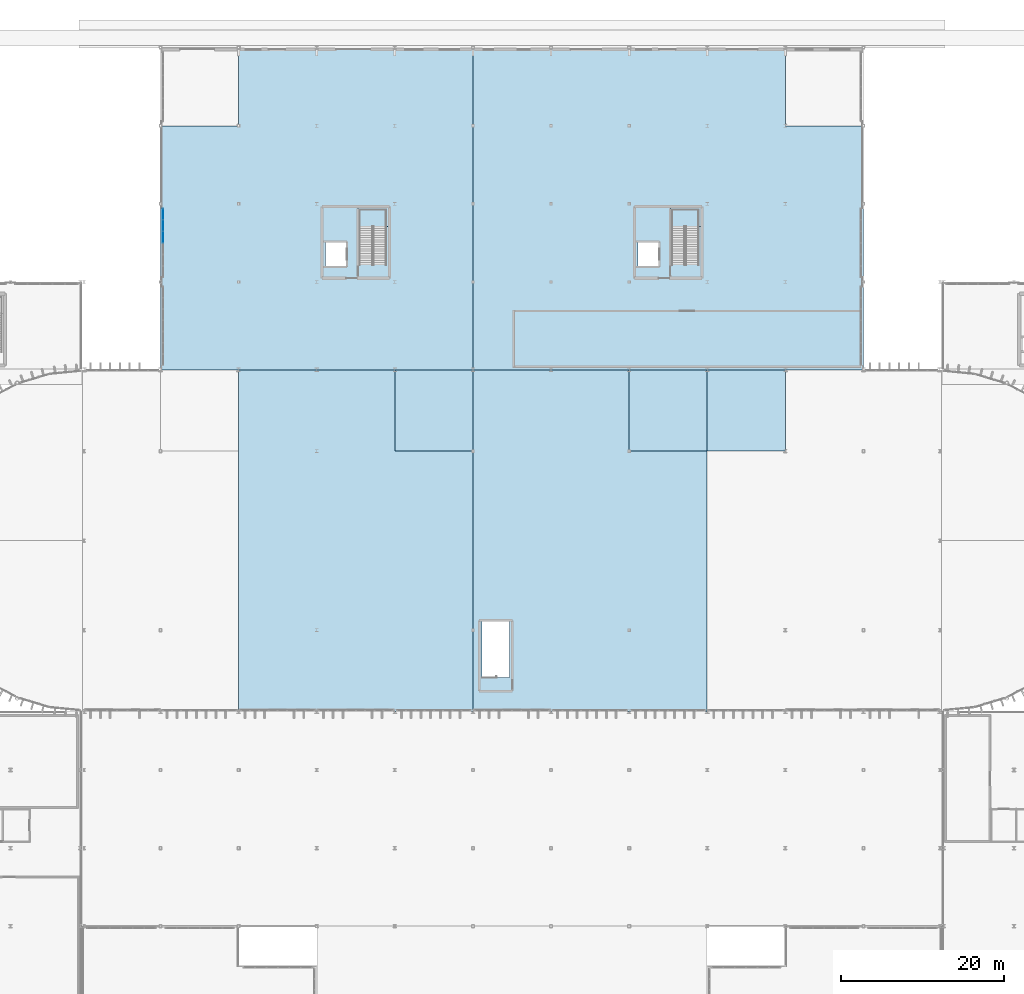
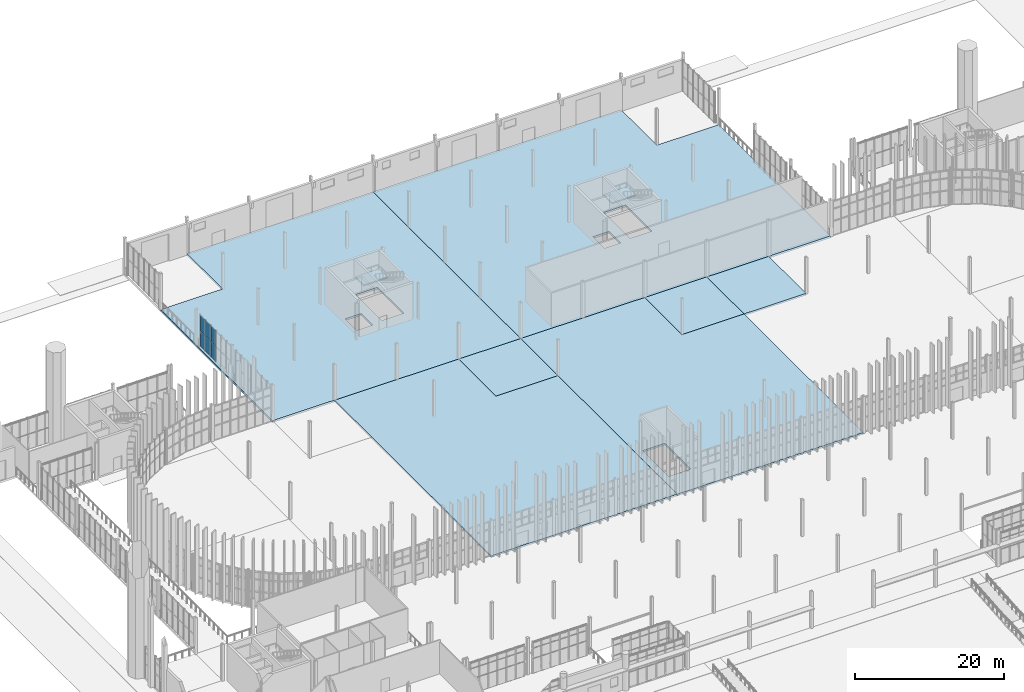
# One storey, part 79 of 139: 9 slabs, 6 plates, 3 elements without a shape of their own.
"""IFC4 building model written with IfcOpenShell, lengths in metres."""

from ifc_helpers import new_model, si_unit, direction, frame, origin, origin_2d, place, context, subcontext, project, spatial, polyline, rectangle, outline, extrude, material, layer, layer_set, type_object, element, aggregate, save


model = new_model("IFC4")

# Units and contexts
model_context = context("Model", 3, precision=1e-05, world=origin(), true_north=direction((0.0, 1.0)))
body_context = subcontext(model_context, "Body", "Model", "MODEL_VIEW")
ifc_project = project(units=[si_unit("LENGTHUNIT", "METRE"), si_unit("AREAUNIT", "SQUARE_METRE"), si_unit("VOLUMEUNIT", "CUBIC_METRE"), si_unit("PLANEANGLEUNIT", "RADIAN"), si_unit("MASSUNIT", "GRAM", prefix="KILO")], contexts=[model_context])

# Site, building, storey
site_placement = place(None, origin())
site = spatial("IfcSite", under=ifc_project, at=site_placement, CompositionType="ELEMENT")
building_placement = place(site_placement, origin())
building = spatial("IfcBuilding", under=site, at=building_placement, Name="Yeouljin Market Hall", CompositionType="ELEMENT")
storey_placement = place(building_placement, origin())
storey = spatial("IfcBuildingStorey", under=building, at=storey_placement, Name="L00", CompositionType="ELEMENT", Elevation=0.0)

# Curtain wall, plates
ifc_material_1 = material(Name="Thermally Broken Aluminium", Category="aluminium")
ifc_layer_1 = layer(ifc_material_1, 0.14990234375)
ifc_layer_set_1 = layer_set([ifc_layer_1], Name="Thermally Broken Aluminium")
curtain_wall_type = type_object("IfcCurtainWallType", Name="CW_WingStorefront_System", PredefinedType="USERDEFINED", material=ifc_layer_set_1)
curtain_wall_placement = place(storey_placement, origin())
curtain_wall = element("IfcCurtainWall", 1, at=curtain_wall_placement, inside=storey, type_object=curtain_wall_type, Name="Curtain wall CW-CRT-L00-16", ObjectType="CURTAIN WALL", PredefinedType="USERDEFINED")
ifc_material_2 = material(Name="Low-E Insulated Glass", Category="glass")
ifc_layer_2 = layer(ifc_material_2, 0.028076171875)
ifc_layer_set_2 = layer_set([ifc_layer_2], Name="Low-E Insulated Glass")
plate_type = type_object("IfcPlateType", Name="CWPanel_LowE_28", PredefinedType="CURTAIN_PANEL", material=ifc_layer_set_2)
plate_1_placement = place(storey_placement, frame((45.300048828125, 94.308349609375, 0.0478515625), z_axis=(0.0, 0.0, 1.0), x_axis=(0.0, 1.0, 0.0)))
plate_1 = element("IfcPlate", 2, at=plate_1_placement, type_object=plate_type, Name="CW-04 panel 4.1", PredefinedType="CURTAIN_PANEL", context=body_context, shape_type="SweptSolid", body=[
    extrude(rectangle(XDim=1.36865234375, YDim=0.028076171875, at=origin_2d()), origin(), (0.0, 0.0, 1.0), 2.488037109375),
])
plate_2_placement = place(storey_placement, frame((45.300048828125, 94.308349609375, 2.583984375), z_axis=(0.0, 0.0, 1.0), x_axis=(0.0, 1.0, 0.0)))
plate_2 = element("IfcPlate", 3, at=plate_2_placement, type_object=plate_type, Name="CW-04 panel 4.2", PredefinedType="CURTAIN_PANEL", context=body_context, shape_type="SweptSolid", body=[
    extrude(rectangle(XDim=1.36865234375, YDim=0.028076171875, at=origin_2d()), origin(), (0.0, 0.0, 1.0), 2.488037109375),
])
plate_3_placement = place(storey_placement, frame((45.300048828125, 95.72509765625, 0.0478515625), z_axis=(0.0, 0.0, 1.0), x_axis=(0.0, 1.0, 0.0)))
plate_3 = element("IfcPlate", 4, at=plate_3_placement, type_object=plate_type, Name="CW-04 panel 5.1", PredefinedType="CURTAIN_PANEL", context=body_context, shape_type="SweptSolid", body=[
    extrude(rectangle(XDim=1.36865234375, YDim=0.028076171875, at=origin_2d()), origin(), (0.0, 0.0, 1.0), 2.488037109375),
])
plate_4_placement = place(storey_placement, frame((45.300048828125, 95.72509765625, 2.583984375), z_axis=(0.0, 0.0, 1.0), x_axis=(0.0, 1.0, 0.0)))
plate_4 = element("IfcPlate", 5, at=plate_4_placement, type_object=plate_type, Name="CW-04 panel 5.2", PredefinedType="CURTAIN_PANEL", context=body_context, shape_type="SweptSolid", body=[
    extrude(rectangle(XDim=1.36865234375, YDim=0.028076171875, at=origin_2d()), origin(), (0.0, 0.0, 1.0), 2.488037109375),
])
plate_5_placement = place(storey_placement, frame((45.300048828125, 97.129638671875, 0.0478515625), z_axis=(0.0, 0.0, 1.0), x_axis=(0.0, 1.0, 0.0)))
plate_5 = element("IfcPlate", 6, at=plate_5_placement, type_object=plate_type, Name="CW-04 panel 6.1", PredefinedType="CURTAIN_PANEL", context=body_context, shape_type="SweptSolid", body=[
    extrude(rectangle(XDim=1.3447265625, YDim=0.028076171875, at=origin_2d()), origin(), (0.0, 0.0, 1.0), 2.488037109375),
])
plate_6_placement = place(storey_placement, frame((45.300048828125, 97.129638671875, 2.583984375), z_axis=(0.0, 0.0, 1.0), x_axis=(0.0, 1.0, 0.0)))
plate_6 = element("IfcPlate", 7, at=plate_6_placement, type_object=plate_type, Name="CW-04 panel 6.2", PredefinedType="CURTAIN_PANEL", context=body_context, shape_type="SweptSolid", body=[
    extrude(rectangle(XDim=1.3447265625, YDim=0.028076171875, at=origin_2d()), origin(), (0.0, 0.0, 1.0), 2.488037109375),
])
aggregate(curtain_wall, [plate_1, plate_2, plate_3, plate_4, plate_5, plate_6])

# Slabs
ifc_material_3 = material(Name="Concrete C35/45", Category="concrete")
ifc_layer_3 = layer(ifc_material_3, 0.320068359375)
ifc_layer_set_3 = layer_set([ifc_layer_3], Name="Concrete C35/45")
slab_type_1 = type_object("IfcSlabType", Name="SLB_DOCK_320", PredefinedType="FLOOR", material=ifc_layer_set_3)
slab_1_placement = place(storey_placement, frame((0.0, 0.0, -0.320068359375)))
element("IfcSlab", 8, at=slab_1_placement, inside=storey, type_object=slab_type_1, Name="Structural slab SLB-L00-N1", PredefinedType="FLOOR", context=body_context, shape_type="SweptSolid", body=[
    extrude(outline(polyline([(45.0, 78.0), (83.39990234375, 78.0), (83.39990234375, 117.60009765625), (54.60009765625, 117.60009765625), (54.60009765625, 108.0), (45.0, 108.0), (45.0, 78.0)]), holes=[polyline([(69.39990234375, 90.949951171875), (72.800048828125, 90.949951171875), (72.800048828125, 97.969970703125), (69.39990234375, 97.969970703125), (69.39990234375, 90.949951171875)]), polyline([(65.300048828125, 90.64990234375), (67.800048828125, 90.64990234375), (67.800048828125, 93.75), (65.300048828125, 93.75), (65.300048828125, 90.64990234375)])]), origin(), (0.0, 0.0, 1.0), 0.320068359375),
])
slab_2_placement = place(storey_placement, frame((0.0, 0.0, -0.320068359375)))
element("IfcSlab", 9, at=slab_2_placement, inside=storey, type_object=slab_type_1, Name="Structural slab SLB-L00-N2", PredefinedType="FLOOR", context=body_context, shape_type="SweptSolid", body=[
    extrude(outline(polyline([(83.39990234375, 78.0), (131.39990234375, 78.0), (131.39990234375, 108.0), (121.800048828125, 108.0), (121.800048828125, 117.60009765625), (83.39990234375, 117.60009765625), (83.39990234375, 78.0)]), holes=[polyline([(107.800048828125, 90.949951171875), (111.199951171875, 90.949951171875), (111.199951171875, 97.969970703125), (107.800048828125, 97.969970703125), (107.800048828125, 90.949951171875)]), polyline([(103.699951171875, 90.64990234375), (106.199951171875, 90.64990234375), (106.199951171875, 93.75), (103.699951171875, 93.75), (103.699951171875, 90.64990234375)])]), origin(), (0.0, 0.0, 1.0), 0.320068359375),
])
ifc_material_4 = material(Name="Concrete C35/45", Category="concrete")
ifc_layer_4 = layer(ifc_material_4, 0.280029296875)
ifc_layer_set_4 = layer_set([ifc_layer_4], Name="Concrete C35/45")
slab_type_2 = type_object("IfcSlabType", Name="SLB_HALL_280", PredefinedType="FLOOR", material=ifc_layer_set_4)
slab_3_placement = place(storey_placement, frame((0.0, 0.0, -0.280029296875)))
element("IfcSlab", 10, at=slab_3_placement, inside=storey, type_object=slab_type_2, Name="Structural slab SLB-L00-H3", PredefinedType="FLOOR", context=body_context, shape_type="SweptSolid", body=[
    extrude(outline(polyline([(54.60009765625, 36.0), (83.39990234375, 36.0), (83.39990234375, 68.0), (73.800048828125, 68.0), (73.800048828125, 78.0), (54.60009765625, 78.0), (54.60009765625, 36.0)])), origin(), (0.0, 0.0, 1.0), 0.280029296875),
])
slab_4_placement = place(storey_placement, frame((0.0, 0.0, -0.280029296875)))
element("IfcSlab", 11, at=slab_4_placement, inside=storey, type_object=slab_type_2, Name="Structural slab SLB-L00-H5", PredefinedType="FLOOR", context=body_context, shape_type="SweptSolid", body=[
    extrude(outline(polyline([(83.39990234375, 36.0), (112.199951171875, 36.0), (112.199951171875, 68.0), (102.60009765625, 68.0), (102.60009765625, 78.0), (83.39990234375, 78.0), (83.39990234375, 36.0)]), holes=[polyline([(84.5, 40.199951171875), (87.89990234375, 40.199951171875), (87.89990234375, 47.1201171875), (84.5, 47.1201171875), (84.5, 40.199951171875)])]), origin(), (0.0, 0.0, 1.0), 0.280029296875),
])
ifc_material_5 = material(Name="Concrete C35/45", Category="concrete")
ifc_layer_5 = layer(ifc_material_5, 0.2900390625)
ifc_layer_set_5 = layer_set([ifc_layer_5], Name="Concrete C35/45")
slab_type_3 = type_object("IfcSlabType", Name="SLB_HALL_290", PredefinedType="FLOOR", material=ifc_layer_set_5)
slab_5_placement = place(storey_placement, frame((0.0, 0.0, -0.2900390625)))
element("IfcSlab", 12, at=slab_5_placement, inside=storey, type_object=slab_type_3, Name="Structural slab SLB-L00-H4", PredefinedType="FLOOR", context=body_context, shape_type="SweptSolid", body=[
    extrude(outline(polyline([(73.800048828125, 68.0), (83.39990234375, 68.0), (83.39990234375, 78.0), (73.800048828125, 78.0), (73.800048828125, 68.0)])), origin(), (0.0, 0.0, 1.0), 0.2900390625),
])
slab_6_placement = place(storey_placement, frame((0.0, 0.0, -0.2900390625)))
element("IfcSlab", 13, at=slab_6_placement, inside=storey, type_object=slab_type_3, Name="Structural slab SLB-L00-H6", PredefinedType="FLOOR", context=body_context, shape_type="SweptSolid", body=[
    extrude(outline(polyline([(102.60009765625, 68.0), (112.199951171875, 68.0), (112.199951171875, 78.0), (102.60009765625, 78.0), (102.60009765625, 68.0)])), origin(), (0.0, 0.0, 1.0), 0.2900390625),
])
slab_7_placement = place(storey_placement, frame((0.0, 0.0, -0.2900390625)))
element("IfcSlab", 14, at=slab_7_placement, inside=storey, type_object=slab_type_3, Name="Structural slab SLB-L00-H8", PredefinedType="FLOOR", context=body_context, shape_type="SweptSolid", body=[
    extrude(outline(polyline([(112.199951171875, 68.0), (121.800048828125, 68.0), (121.800048828125, 78.0), (112.199951171875, 78.0), (112.199951171875, 68.0)])), origin(), (0.0, 0.0, 1.0), 0.2900390625),
])

# Stair, slab
ifc_material_6 = material(Name="Concrete C30/37", Category="concrete")
stair_type = type_object("IfcStairType", Name="Stair_Core_L00_L01", PredefinedType="TWO_STRAIGHT_RUN_STAIR", material=ifc_material_6)
stair_1_placement = place(storey_placement, origin())
stair_1 = element("IfcStair", 15, at=stair_1_placement, inside=storey, type_object=stair_type, Name="Enclosed exit stair ST-C6-L00", PredefinedType="TWO_STRAIGHT_RUN_STAIR")
ifc_material_7 = material(Name="Concrete C30/37", Category="concrete")
ifc_layer_6 = layer(ifc_material_7, 0.199951171875)
ifc_layer_set_6 = layer_set([ifc_layer_6], Name="Concrete C30/37")
slab_type_4 = type_object("IfcSlabType", Name="StairLanding_200", PredefinedType="LANDING", material=ifc_layer_set_6)
slab_8_placement = place(storey_placement, frame((0.0, 0.0, 2.800048828125)))
slab_8 = element("IfcSlab", 16, at=slab_8_placement, type_object=slab_type_4, Name="ST-C6-L00 landing 1", PredefinedType="LANDING", context=body_context, shape_type="SweptSolid", body=[
    extrude(outline(polyline([(107.679931640625, 95.6201171875), (111.429931640625, 95.6201171875), (111.429931640625, 97.929931640625), (107.679931640625, 97.929931640625), (107.679931640625, 95.6201171875)])), origin(), (0.0, 0.0, 1.0), 0.199951171875),
])
aggregate(stair_1, [slab_8])

stair_2_placement = place(storey_placement, origin())
stair_2 = element("IfcStair", 17, at=stair_2_placement, inside=storey, type_object=stair_type, Name="Enclosed exit stair ST-C5-L00", PredefinedType="TWO_STRAIGHT_RUN_STAIR")
ifc_material_8 = material(Name="Concrete C30/37", Category="concrete")
ifc_layer_7 = layer(ifc_material_8, 0.219970703125)
ifc_layer_set_7 = layer_set([ifc_layer_7], Name="Concrete C30/37")
slab_type_5 = type_object("IfcSlabType", Name="StairLanding_220", PredefinedType="LANDING", material=ifc_layer_set_7)
slab_9_placement = place(storey_placement, frame((0.0, 0.0, 2.780029296875)))
slab_9 = element("IfcSlab", 18, at=slab_9_placement, type_object=slab_type_5, Name="ST-C5-L00 landing 1", PredefinedType="LANDING", context=body_context, shape_type="SweptSolid", body=[
    extrude(outline(polyline([(69.280029296875, 95.6201171875), (73.030029296875, 95.6201171875), (73.030029296875, 97.929931640625), (69.280029296875, 97.929931640625), (69.280029296875, 95.6201171875)])), origin(), (0.0, 0.0, 1.0), 0.219970703125),
])
aggregate(stair_2, [slab_9])

save(model, "model.ifc")
